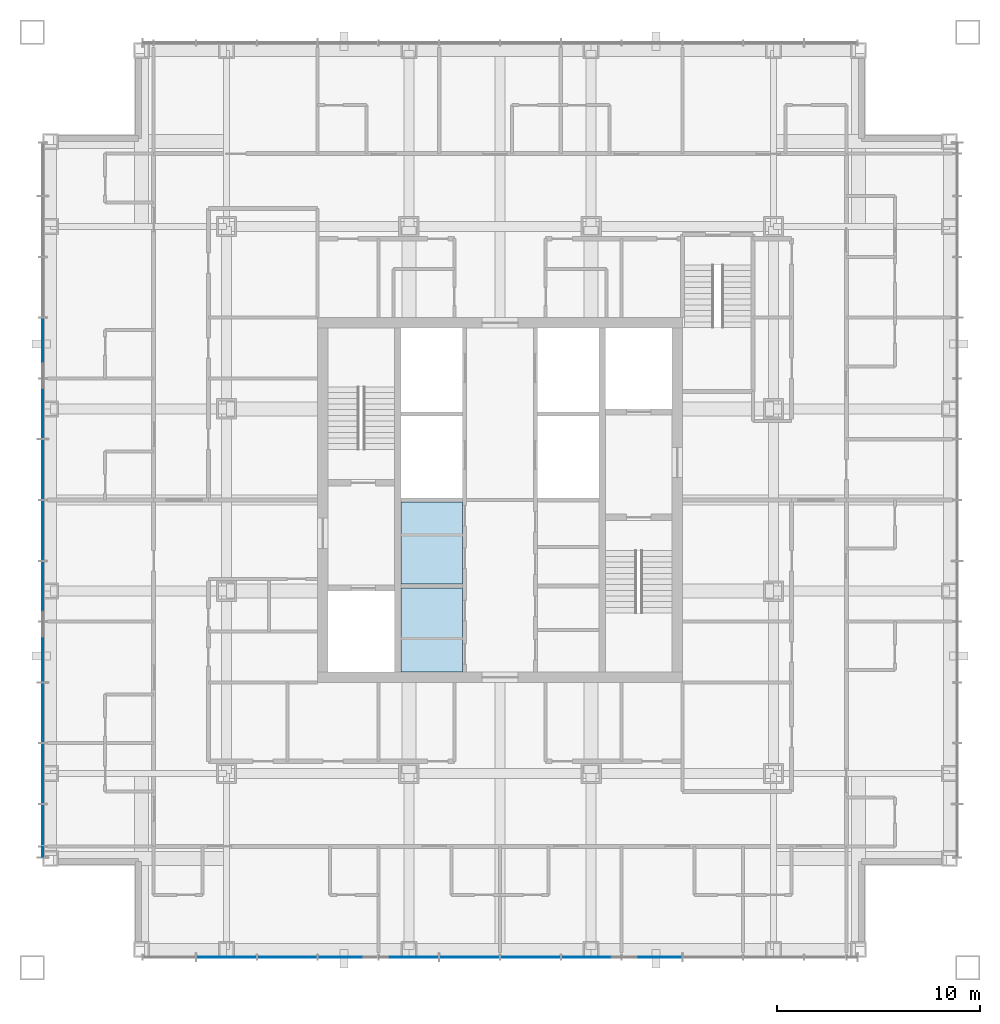
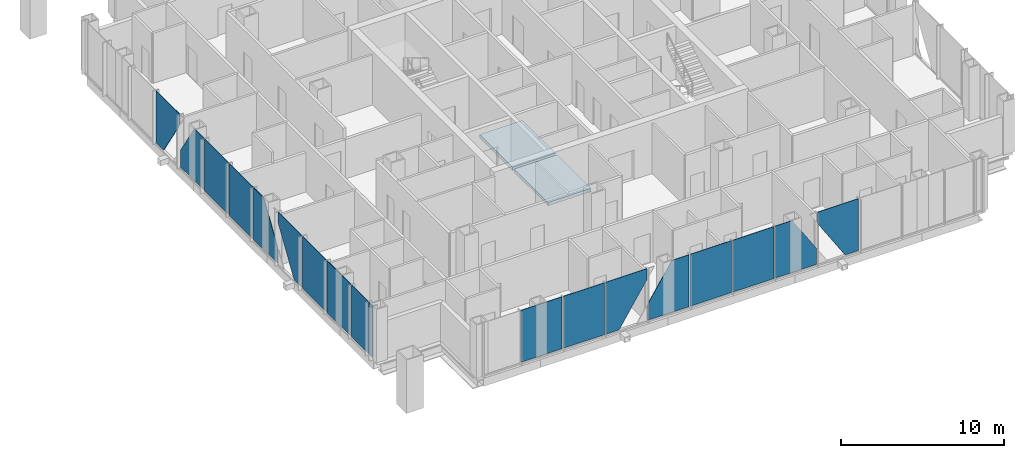
# One storey, part 7 of 20: 18 plates, 2 slabs, 2 elements without a shape of their own.
"""IFC4 building model written with IfcOpenShell, lengths in metres."""

from ifc_helpers import new_model, si_unit, direction, frame, origin, origin_2d, place, context, subcontext, project, spatial, polyline, rectangle, outline, extrude, material, layer, layer_set, type_object, element, aggregate, save


model = new_model("IFC4")

# Units and contexts
model_context = context("Model", 3, precision=1e-05, world=origin(), true_north=direction((0.0, 1.0)))
body_context = subcontext(model_context, "Body", "Model", "MODEL_VIEW")
ifc_project = project(units=[si_unit("LENGTHUNIT", "METRE"), si_unit("AREAUNIT", "SQUARE_METRE"), si_unit("VOLUMEUNIT", "CUBIC_METRE"), si_unit("PLANEANGLEUNIT", "RADIAN"), si_unit("MASSUNIT", "GRAM", prefix="KILO")], contexts=[model_context])

# Site, building, storey
site_placement = place(None, origin())
site = spatial("IfcSite", under=ifc_project, at=site_placement, CompositionType="ELEMENT")
building_placement = place(site_placement, origin())
building = spatial("IfcBuilding", under=site, at=building_placement, Name="Malebo Sky Hospital", CompositionType="ELEMENT")
storey_placement = place(building_placement, frame((0.0, 0.0, 233.0)))
storey = spatial("IfcBuildingStorey", under=building, at=storey_placement, Name="L56", CompositionType="ELEMENT", Elevation=233.0)

# Slabs
ifc_material_1 = material(Name="Concrete C40/50", Category="concrete")
ifc_layer_1 = layer(ifc_material_1, 0.25)
ifc_layer_set_1 = layer_set([ifc_layer_1], Name="SHAFT INFILL SLAB 250")
slab_type = type_object("IfcSlabType", Name="SHAFT INFILL SLAB 250", PredefinedType="FLOOR", material=ifc_layer_set_1)
slab_1_placement = place(storey_placement, frame((0.0, 0.0, -0.25)))
element("IfcSlab", 1, at=slab_1_placement, inside=storey, type_object=slab_type, Name="Shaft infill slab W1 L56", PredefinedType="FLOOR", context=body_context, shape_type="SweptSolid", body=[
    extrude(outline(polyline([(55.10009765625, 53.5), (58.14990234375, 53.5), (58.14990234375, 57.64990234375), (55.10009765625, 57.64990234375), (55.10009765625, 53.5)])), origin(), (0.0, 0.0, 1.0), 0.25),
])
slab_2_placement = place(storey_placement, frame((0.0, 0.0, -0.25)))
element("IfcSlab", 2, at=slab_2_placement, inside=storey, type_object=slab_type, Name="Shaft infill slab W2 L56", PredefinedType="FLOOR", context=body_context, shape_type="SweptSolid", body=[
    extrude(outline(polyline([(55.10009765625, 57.85009765625), (58.14990234375, 57.85009765625), (58.14990234375, 61.89990234375), (55.10009765625, 61.89990234375), (55.10009765625, 57.85009765625)])), origin(), (0.0, 0.0, 1.0), 0.25),
])

# Curtain wall, plates
ifc_material_2 = material(Name="Anodised aluminium, natural silver", Category="aluminium")
ifc_layer_2 = layer(ifc_material_2, 0.25)
ifc_layer_set_2 = layer_set([ifc_layer_2], Name="WARD CURTAIN WALL EAST AND WEST")
curtain_wall_type_1 = type_object("IfcCurtainWallType", Name="WARD CURTAIN WALL EAST AND WEST", PredefinedType="NOTDEFINED", material=ifc_layer_set_2)
curtain_wall_1_placement = place(storey_placement, origin())
curtain_wall_1 = element("IfcCurtainWall", 3, at=curtain_wall_1_placement, inside=storey, type_object=curtain_wall_type_1, Name="EW curtain wall W", PredefinedType="NOTDEFINED")
ifc_material_3 = material(Name="Clear low-iron double glazing", Category="glass")
ifc_layer_3 = layer(ifc_material_3, 0.031982421875)
ifc_layer_set_3 = layer_set([ifc_layer_3], Name="VISION PANEL CLEAR 32")
plate_type = type_object("IfcPlateType", Name="VISION PANEL CLEAR 32", PredefinedType="CURTAIN_PANEL", material=ifc_layer_set_3)
plate_1_placement = place(storey_placement, frame((37.425048828125, 44.61865234375, 0.10009765625), z_axis=(0.0, 0.0, 1.0), x_axis=(0.0, 1.0, 0.0)))
plate_1 = element("IfcPlate", 4, at=plate_1_placement, type_object=plate_type, Name="Panel 1", PredefinedType="CURTAIN_PANEL", context=body_context, shape_type="SweptSolid", body=[
    extrude(rectangle(XDim=0.487548828125, YDim=0.031982421875, at=origin_2d()), origin(), (0.0, 0.0, 1.0), 3.889892578125),
])
plate_2_placement = place(storey_placement, frame((37.425048828125, 45.949951171875, 0.10009765625), z_axis=(0.0, 0.0, 1.0), x_axis=(0.0, 1.0, 0.0)))
plate_2 = element("IfcPlate", 5, at=plate_2_placement, type_object=plate_type, Name="Panel 2", PredefinedType="CURTAIN_PANEL", context=body_context, shape_type="SweptSolid", body=[
    extrude(rectangle(XDim=2.02490234375, YDim=0.031982421875, at=origin_2d()), origin(), (0.0, 0.0, 1.0), 3.889892578125),
])
plate_3_placement = place(storey_placement, frame((37.425048828125, 48.5, 0.10009765625), z_axis=(0.0, 0.0, 1.0), x_axis=(0.0, 1.0, 0.0)))
plate_3 = element("IfcPlate", 6, at=plate_3_placement, type_object=plate_type, Name="Panel 3", PredefinedType="CURTAIN_PANEL", context=body_context, shape_type="SweptSolid", body=[
    extrude(rectangle(XDim=2.925048828125, YDim=0.031982421875, at=origin_2d()), origin(), (0.0, 0.0, 1.0), 3.889892578125),
])
plate_4_placement = place(storey_placement, frame((37.425048828125, 51.5, 0.10009765625), z_axis=(0.0, 0.0, 1.0), x_axis=(0.0, 1.0, 0.0)))
plate_4 = element("IfcPlate", 7, at=plate_4_placement, type_object=plate_type, Name="Panel 4", PredefinedType="CURTAIN_PANEL", context=body_context, shape_type="SweptSolid", body=[
    extrude(rectangle(XDim=2.925048828125, YDim=0.031982421875, at=origin_2d()), origin(), (0.0, 0.0, 1.0), 3.889892578125),
])
plate_5_placement = place(storey_placement, frame((37.425048828125, 54.5, 0.10009765625), z_axis=(0.0, 0.0, 1.0), x_axis=(0.0, 1.0, 0.0)))
plate_5 = element("IfcPlate", 8, at=plate_5_placement, type_object=plate_type, Name="Panel 5", PredefinedType="CURTAIN_PANEL", context=body_context, shape_type="SweptSolid", body=[
    extrude(outline(polyline([(-1.46240234375, 0.0), (-0.503662109375, 0.0), (1.46240234375, 3.064208984375), (1.46240234375, 3.889892578125), (-1.46240234375, 3.889892578125), (-1.46240234375, 0.0)])), frame((0.0, 0.01611328125, 0.0), z_axis=(0.0, -1.0, 0.0), x_axis=(1.0, 0.0, 0.0)), (0.0, 0.0, 1.0), 0.031982421875),
])
plate_6_placement = place(storey_placement, frame((37.425048828125, 57.5, 0.10009765625), z_axis=(0.0, 0.0, 1.0), x_axis=(0.0, 1.0, 0.0)))
plate_6 = element("IfcPlate", 9, at=plate_6_placement, type_object=plate_type, Name="Panel 6", PredefinedType="CURTAIN_PANEL", context=body_context, shape_type="SweptSolid", body=[
    extrude(outline(polyline([(-1.46240234375, 0.0), (1.46240234375, 0.0), (1.46240234375, 3.889892578125), (0.2412109375, 3.889892578125), (-1.46240234375, 1.23486328125), (-1.46240234375, 0.0)])), frame((0.0, 0.01611328125, 0.0), z_axis=(0.0, -1.0, 0.0), x_axis=(1.0, 0.0, 0.0)), (0.0, 0.0, 1.0), 0.031982421875),
])
plate_7_placement = place(storey_placement, frame((37.425048828125, 60.5, 0.10009765625), z_axis=(0.0, 0.0, 1.0), x_axis=(0.0, 1.0, 0.0)))
plate_7 = element("IfcPlate", 10, at=plate_7_placement, type_object=plate_type, Name="Panel 7", PredefinedType="CURTAIN_PANEL", context=body_context, shape_type="SweptSolid", body=[
    extrude(rectangle(XDim=2.925048828125, YDim=0.031982421875, at=origin_2d()), origin(), (0.0, 0.0, 1.0), 3.889892578125),
])
plate_8_placement = place(storey_placement, frame((37.425048828125, 63.5, 0.10009765625), z_axis=(0.0, 0.0, 1.0), x_axis=(0.0, 1.0, 0.0)))
plate_8 = element("IfcPlate", 11, at=plate_8_placement, type_object=plate_type, Name="Panel 8", PredefinedType="CURTAIN_PANEL", context=body_context, shape_type="SweptSolid", body=[
    extrude(rectangle(XDim=2.925048828125, YDim=0.031982421875, at=origin_2d()), origin(), (0.0, 0.0, 1.0), 3.889892578125),
])
plate_9_placement = place(storey_placement, frame((37.425048828125, 66.5, 0.10009765625), z_axis=(0.0, 0.0, 1.0), x_axis=(0.0, 1.0, 0.0)))
plate_9 = element("IfcPlate", 12, at=plate_9_placement, type_object=plate_type, Name="Panel 9", PredefinedType="CURTAIN_PANEL", context=body_context, shape_type="SweptSolid", body=[
    extrude(outline(polyline([(-1.46240234375, 0.0), (1.46240234375, 0.0), (1.46240234375, 1.23486328125), (-0.2412109375, 3.889892578125), (-1.46240234375, 3.889892578125), (-1.46240234375, 0.0)])), frame((0.0, 0.01611328125, 0.0), z_axis=(0.0, -1.0, 0.0), x_axis=(1.0, 0.0, 0.0)), (0.0, 0.0, 1.0), 0.031982421875),
])
plate_10_placement = place(storey_placement, frame((37.425048828125, 69.5, 0.10009765625), z_axis=(0.0, 0.0, 1.0), x_axis=(0.0, 1.0, 0.0)))
plate_10 = element("IfcPlate", 13, at=plate_10_placement, type_object=plate_type, Name="Panel 10", PredefinedType="CURTAIN_PANEL", context=body_context, shape_type="SweptSolid", body=[
    extrude(outline(polyline([(0.503662109375, 0.0), (1.46240234375, 0.0), (1.46240234375, 3.889892578125), (-1.46240234375, 3.889892578125), (-1.46240234375, 3.064208984375), (0.503662109375, 0.0)])), frame((0.0, 0.01611328125, 0.0), z_axis=(0.0, -1.0, 0.0), x_axis=(1.0, 0.0, 0.0)), (0.0, 0.0, 1.0), 0.031982421875),
])
aggregate(curtain_wall_1, [plate_1, plate_2, plate_3, plate_4, plate_5, plate_6, plate_7, plate_8, plate_9, plate_10])

ifc_layer_4 = layer(ifc_material_2, 0.25)
ifc_layer_set_4 = layer_set([ifc_layer_4], Name="WARD CURTAIN WALL NORTH AND SOUTH")
curtain_wall_type_2 = type_object("IfcCurtainWallType", Name="WARD CURTAIN WALL NORTH AND SOUTH", PredefinedType="NOTDEFINED", material=ifc_layer_set_4)
curtain_wall_2_placement = place(storey_placement, origin())
curtain_wall_2 = element("IfcCurtainWall", 14, at=curtain_wall_2_placement, inside=storey, type_object=curtain_wall_type_2, Name="NS curtain wall S", PredefinedType="NOTDEFINED")
plate_11_placement = place(storey_placement, frame((67.5, 39.425048828125, 0.10009765625), z_axis=(0.0, 0.0, 1.0), x_axis=(-1.0, 0.0, 0.0)))
plate_11 = element("IfcPlate", 15, at=plate_11_placement, type_object=plate_type, Name="Panel 5", PredefinedType="CURTAIN_PANEL", context=body_context, shape_type="SweptSolid", body=[
    extrude(outline(polyline([(-1.46240234375, 0.0), (-0.503662109375, 0.0), (1.46240234375, 3.064208984375), (1.46240234375, 3.889892578125), (-1.46240234375, 3.889892578125), (-1.46240234375, 0.0)])), frame((0.0, 0.01611328125, 0.0), z_axis=(0.0, -1.0, 0.0), x_axis=(1.0, 0.0, 0.0)), (0.0, 0.0, 1.0), 0.031982421875),
])
plate_12_placement = place(storey_placement, frame((64.5, 39.425048828125, 0.10009765625), z_axis=(0.0, 0.0, 1.0), x_axis=(-1.0, 0.0, 0.0)))
plate_12 = element("IfcPlate", 16, at=plate_12_placement, type_object=plate_type, Name="Panel 6", PredefinedType="CURTAIN_PANEL", context=body_context, shape_type="SweptSolid", body=[
    extrude(outline(polyline([(-1.46240234375, 0.0), (1.46240234375, 0.0), (1.46240234375, 3.889892578125), (0.2412109375, 3.889892578125), (-1.46240234375, 1.23486328125), (-1.46240234375, 0.0)])), frame((0.0, 0.01611328125, 0.0), z_axis=(0.0, -1.0, 0.0), x_axis=(1.0, 0.0, 0.0)), (0.0, 0.0, 1.0), 0.031982421875),
])
plate_13_placement = place(storey_placement, frame((61.5, 39.425048828125, 0.10009765625), z_axis=(0.0, 0.0, 1.0), x_axis=(-1.0, 0.0, 0.0)))
plate_13 = element("IfcPlate", 17, at=plate_13_placement, type_object=plate_type, Name="Panel 7", PredefinedType="CURTAIN_PANEL", context=body_context, shape_type="SweptSolid", body=[
    extrude(rectangle(XDim=2.925048828125, YDim=0.031982421875, at=origin_2d()), origin(), (0.0, 0.0, 1.0), 3.889892578125),
])
plate_14_placement = place(storey_placement, frame((58.5, 39.425048828125, 0.10009765625), z_axis=(0.0, 0.0, 1.0), x_axis=(-1.0, 0.0, 0.0)))
plate_14 = element("IfcPlate", 18, at=plate_14_placement, type_object=plate_type, Name="Panel 8", PredefinedType="CURTAIN_PANEL", context=body_context, shape_type="SweptSolid", body=[
    extrude(rectangle(XDim=2.925048828125, YDim=0.031982421875, at=origin_2d()), origin(), (0.0, 0.0, 1.0), 3.889892578125),
])
plate_15_placement = place(storey_placement, frame((55.5, 39.425048828125, 0.10009765625), z_axis=(0.0, 0.0, 1.0), x_axis=(-1.0, 0.0, 0.0)))
plate_15 = element("IfcPlate", 19, at=plate_15_placement, type_object=plate_type, Name="Panel 9", PredefinedType="CURTAIN_PANEL", context=body_context, shape_type="SweptSolid", body=[
    extrude(outline(polyline([(-1.46240234375, 0.0), (1.46240234375, 0.0), (1.46240234375, 1.23486328125), (-0.2412109375, 3.889892578125), (-1.46240234375, 3.889892578125), (-1.46240234375, 0.0)])), frame((0.0, 0.01611328125, 0.0), z_axis=(0.0, -1.0, 0.0), x_axis=(1.0, 0.0, 0.0)), (0.0, 0.0, 1.0), 0.031982421875),
])
plate_16_placement = place(storey_placement, frame((52.5, 39.425048828125, 0.10009765625), z_axis=(0.0, 0.0, 1.0), x_axis=(-1.0, 0.0, 0.0)))
plate_16 = element("IfcPlate", 20, at=plate_16_placement, type_object=plate_type, Name="Panel 10", PredefinedType="CURTAIN_PANEL", context=body_context, shape_type="SweptSolid", body=[
    extrude(outline(polyline([(0.503662109375, 0.0), (1.46240234375, 0.0), (1.46240234375, 3.889892578125), (-1.46240234375, 3.889892578125), (-1.46240234375, 3.064208984375), (0.503662109375, 0.0)])), frame((0.0, 0.01611328125, 0.0), z_axis=(0.0, -1.0, 0.0), x_axis=(1.0, 0.0, 0.0)), (0.0, 0.0, 1.0), 0.031982421875),
])
plate_17_placement = place(storey_placement, frame((49.5, 39.425048828125, 0.10009765625), z_axis=(0.0, 0.0, 1.0), x_axis=(-1.0, 0.0, 0.0)))
plate_17 = element("IfcPlate", 21, at=plate_17_placement, type_object=plate_type, Name="Panel 11", PredefinedType="CURTAIN_PANEL", context=body_context, shape_type="SweptSolid", body=[
    extrude(rectangle(XDim=2.925048828125, YDim=0.031982421875, at=origin_2d()), origin(), (0.0, 0.0, 1.0), 3.889892578125),
])
plate_18_placement = place(storey_placement, frame((46.5, 39.425048828125, 0.10009765625), z_axis=(0.0, 0.0, 1.0), x_axis=(-1.0, 0.0, 0.0)))
plate_18 = element("IfcPlate", 22, at=plate_18_placement, type_object=plate_type, Name="Panel 12", PredefinedType="CURTAIN_PANEL", context=body_context, shape_type="SweptSolid", body=[
    extrude(rectangle(XDim=2.925048828125, YDim=0.031982421875, at=origin_2d()), origin(), (0.0, 0.0, 1.0), 3.889892578125),
])
aggregate(curtain_wall_2, [plate_11, plate_12, plate_13, plate_14, plate_15, plate_16, plate_17, plate_18])

save(model, "model.ifc")
